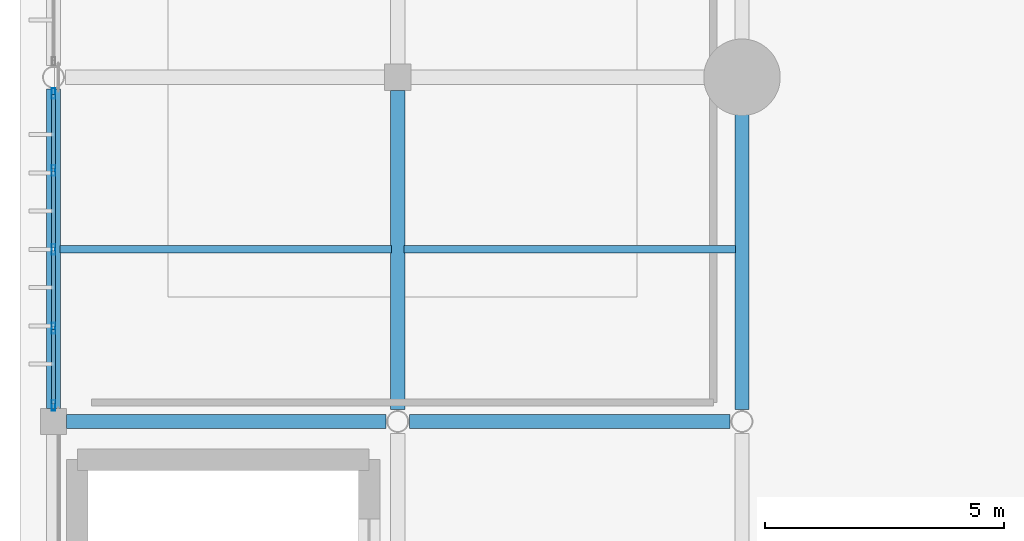
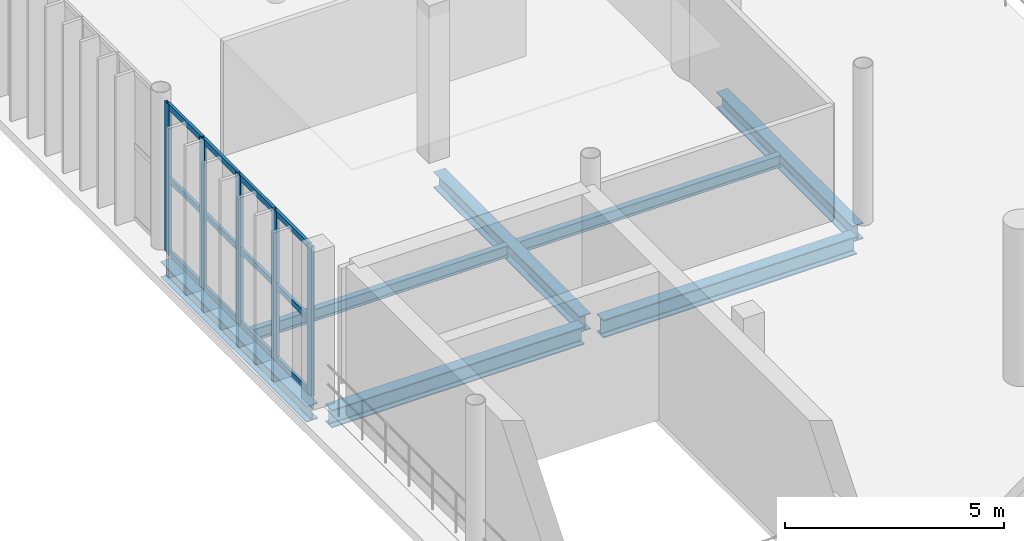
# One storey, part 24 of 81: 17 members, 7 beams, 1 element without a shape of its own.
"""IFC4 building model written with IfcOpenShell, lengths in metres."""

from ifc_helpers import new_model, si_unit, direction, frame, origin, origin_2d, place, context, subcontext, project, spatial, hollow_rectangle, i_section, extrude, material, material_profile, profile_set, type_object, element, aggregate, save


model = new_model("IFC4")

# Units and contexts
model_context = context("Model", 3, precision=1e-05, world=origin(), true_north=direction((0.0, 1.0)))
body_context = subcontext(model_context, "Body", "Model", "MODEL_VIEW")
ifc_project = project(units=[si_unit("LENGTHUNIT", "METRE"), si_unit("AREAUNIT", "SQUARE_METRE"), si_unit("VOLUMEUNIT", "CUBIC_METRE"), si_unit("PLANEANGLEUNIT", "RADIAN"), si_unit("MASSUNIT", "GRAM", prefix="KILO")], contexts=[model_context])

# Site, building, storey
site_placement = place(None, origin())
site = spatial("IfcSite", under=ifc_project, at=site_placement, CompositionType="ELEMENT")
building_placement = place(site_placement, origin())
building = spatial("IfcBuilding", under=site, at=building_placement, Name="Qandorah Velis Arena", CompositionType="ELEMENT")
storey_placement = place(building_placement, frame((0.0, 0.0, 18.60009765625)))
storey = spatial("IfcBuildingStorey", under=building, at=storey_placement, Name="L04", CompositionType="ELEMENT", Elevation=18.60009765625)

# Curtain wall, members
ifc_material_1 = material(Name="Solar-control low-E double glazing", Category="glass")
curtain_wall_type = type_object("IfcCurtainWallType", Name="ARC-CW-SYS09", PredefinedType="USERDEFINED", material=ifc_material_1)
curtain_wall_placement = place(storey_placement, origin())
curtain_wall = element("IfcCurtainWall", 1, at=curtain_wall_placement, inside=storey, type_object=curtain_wall_type, Name="Unitised curtain wall L04-033", ObjectType="UNITISED CURTAIN WALL", PredefinedType="USERDEFINED")
ifc_material_2 = material(Name="Champagne-bronze anodized aluminium 6063-T6", Category="aluminium")
ifc_material_profile_1 = material_profile(ifc_material_2, hollow_rectangle(XDim=0.074951171875, YDim=0.219970703125, WallThickness=0.00390625, at=origin_2d()), Name="ALU MULLION 75x220")
ifc_profile_set_1 = profile_set([ifc_material_profile_1], Name="Champagne-bronze anodized aluminium 6063-T6")
member_type_1 = type_object("IfcMemberType", Name="ARC-CWM-220", PredefinedType="MULLION", material=ifc_profile_set_1)
member_1_placement = place(storey_placement, frame((0.0, 50.737548828125, -0.01513671875), z_axis=(0.0, 0.0, 1.0), x_axis=(-1.0, 0.0, 0.0)))
member_1 = element("IfcMember", 2, at=member_1_placement, type_object=member_type_1, Name="CW09 mullion 1", PredefinedType="MULLION", context=body_context, shape_type="SweptSolid", body=[
    extrude(hollow_rectangle(XDim=0.074951171875, YDim=0.219970703125, WallThickness=0.00390625, at=origin_2d()), origin(), (0.0, 0.0, 1.0), 4.179931640625),
])
member_2_placement = place(storey_placement, frame((0.0, 52.35009765625, -0.01513671875), z_axis=(0.0, 0.0, 1.0), x_axis=(-1.0, 0.0, 0.0)))
member_2 = element("IfcMember", 3, at=member_2_placement, type_object=member_type_1, Name="CW09 mullion 2", PredefinedType="MULLION", context=body_context, shape_type="SweptSolid", body=[
    extrude(hollow_rectangle(XDim=0.074951171875, YDim=0.219970703125, WallThickness=0.00390625, at=origin_2d()), origin(), (0.0, 0.0, 1.0), 4.179931640625),
])
member_3_placement = place(storey_placement, frame((0.0, 54.0, -0.01513671875), z_axis=(0.0, 0.0, 1.0), x_axis=(-1.0, 0.0, 0.0)))
member_3 = element("IfcMember", 4, at=member_3_placement, type_object=member_type_1, Name="CW09 mullion 3", PredefinedType="MULLION", context=body_context, shape_type="SweptSolid", body=[
    extrude(hollow_rectangle(XDim=0.074951171875, YDim=0.219970703125, WallThickness=0.00390625, at=origin_2d()), origin(), (0.0, 0.0, 1.0), 4.179931640625),
])
member_4_placement = place(storey_placement, frame((0.0, 55.64990234375, -0.01513671875), z_axis=(0.0, 0.0, 1.0), x_axis=(-1.0, 0.0, 0.0)))
member_4 = element("IfcMember", 5, at=member_4_placement, type_object=member_type_1, Name="CW09 mullion 4", PredefinedType="MULLION", context=body_context, shape_type="SweptSolid", body=[
    extrude(hollow_rectangle(XDim=0.074951171875, YDim=0.219970703125, WallThickness=0.00390625, at=origin_2d()), origin(), (0.0, 0.0, 1.0), 4.179931640625),
])
member_5_placement = place(storey_placement, frame((0.0, 57.262451171875, -0.01513671875), z_axis=(0.0, 0.0, 1.0), x_axis=(-1.0, 0.0, 0.0)))
member_5 = element("IfcMember", 6, at=member_5_placement, type_object=member_type_1, Name="CW09 mullion 5", PredefinedType="MULLION", context=body_context, shape_type="SweptSolid", body=[
    extrude(hollow_rectangle(XDim=0.074951171875, YDim=0.219970703125, WallThickness=0.00390625, at=origin_2d()), origin(), (0.0, 0.0, 1.0), 4.179931640625),
])
ifc_material_profile_2 = material_profile(ifc_material_2, hollow_rectangle(XDim=0.074951171875, YDim=0.159912109375, WallThickness=0.00341796875, at=origin_2d()), Name="ALU TRANSOM 75x160")
ifc_profile_set_2 = profile_set([ifc_material_profile_2], Name="Champagne-bronze anodized aluminium 6063-T6")
member_type_2 = type_object("IfcMemberType", Name="ARC-CWT-160", PredefinedType="USERDEFINED", material=ifc_profile_set_2)
member_6_placement = place(storey_placement, frame((0.0, 50.762939453125, 0.037353515625), z_axis=(0.0, 1.0, 0.0), x_axis=(-1.0, 0.0, 0.0)))
member_6 = element("IfcMember", 7, at=member_6_placement, type_object=member_type_2, Name="CW09 transom 1.1", ObjectType="TRANSOM", PredefinedType="USERDEFINED", context=body_context, shape_type="SweptSolid", body=[
    extrude(hollow_rectangle(XDim=0.074951171875, YDim=0.159912109375, WallThickness=0.00341796875, at=origin_2d()), origin(), (0.0, 0.0, 1.0), 1.5615234375),
])
member_7_placement = place(storey_placement, frame((0.0, 50.762939453125, 2.074951171875), z_axis=(0.0, 1.0, 0.0), x_axis=(-1.0, 0.0, 0.0)))
member_7 = element("IfcMember", 8, at=member_7_placement, type_object=member_type_2, Name="CW09 transom 1.2", ObjectType="TRANSOM", PredefinedType="USERDEFINED", context=body_context, shape_type="SweptSolid", body=[
    extrude(hollow_rectangle(XDim=0.074951171875, YDim=0.159912109375, WallThickness=0.00341796875, at=origin_2d()), origin(), (0.0, 0.0, 1.0), 1.5615234375),
])
member_8_placement = place(storey_placement, frame((0.0, 50.762939453125, 4.1123046875), z_axis=(0.0, 1.0, 0.0), x_axis=(-1.0, 0.0, 0.0)))
member_8 = element("IfcMember", 9, at=member_8_placement, type_object=member_type_2, Name="CW09 transom 1.3", ObjectType="TRANSOM", PredefinedType="USERDEFINED", context=body_context, shape_type="SweptSolid", body=[
    extrude(hollow_rectangle(XDim=0.074951171875, YDim=0.159912109375, WallThickness=0.00341796875, at=origin_2d()), origin(), (0.0, 0.0, 1.0), 1.5615234375),
])
member_9_placement = place(storey_placement, frame((0.0, 52.37548828125, 0.037353515625), z_axis=(0.0, 1.0, 0.0), x_axis=(-1.0, 0.0, 0.0)))
member_9 = element("IfcMember", 10, at=member_9_placement, type_object=member_type_2, Name="CW09 transom 2.1", ObjectType="TRANSOM", PredefinedType="USERDEFINED", context=body_context, shape_type="SweptSolid", body=[
    extrude(hollow_rectangle(XDim=0.074951171875, YDim=0.159912109375, WallThickness=0.00341796875, at=origin_2d()), origin(), (0.0, 0.0, 1.0), 1.59912109375),
])
member_10_placement = place(storey_placement, frame((0.0, 52.37548828125, 2.074951171875), z_axis=(0.0, 1.0, 0.0), x_axis=(-1.0, 0.0, 0.0)))
member_10 = element("IfcMember", 11, at=member_10_placement, type_object=member_type_2, Name="CW09 transom 2.2", ObjectType="TRANSOM", PredefinedType="USERDEFINED", context=body_context, shape_type="SweptSolid", body=[
    extrude(hollow_rectangle(XDim=0.074951171875, YDim=0.159912109375, WallThickness=0.00341796875, at=origin_2d()), origin(), (0.0, 0.0, 1.0), 1.59912109375),
])
member_11_placement = place(storey_placement, frame((0.0, 52.37548828125, 4.1123046875), z_axis=(0.0, 1.0, 0.0), x_axis=(-1.0, 0.0, 0.0)))
member_11 = element("IfcMember", 12, at=member_11_placement, type_object=member_type_2, Name="CW09 transom 2.3", ObjectType="TRANSOM", PredefinedType="USERDEFINED", context=body_context, shape_type="SweptSolid", body=[
    extrude(hollow_rectangle(XDim=0.074951171875, YDim=0.159912109375, WallThickness=0.00341796875, at=origin_2d()), origin(), (0.0, 0.0, 1.0), 1.59912109375),
])
member_12_placement = place(storey_placement, frame((0.0, 54.025390625, 0.037353515625), z_axis=(0.0, 1.0, 0.0), x_axis=(-1.0, 0.0, 0.0)))
member_12 = element("IfcMember", 13, at=member_12_placement, type_object=member_type_2, Name="CW09 transom 3.1", ObjectType="TRANSOM", PredefinedType="USERDEFINED", context=body_context, shape_type="SweptSolid", body=[
    extrude(hollow_rectangle(XDim=0.074951171875, YDim=0.159912109375, WallThickness=0.00341796875, at=origin_2d()), origin(), (0.0, 0.0, 1.0), 1.59912109375),
])
member_13_placement = place(storey_placement, frame((0.0, 54.025390625, 2.074951171875), z_axis=(0.0, 1.0, 0.0), x_axis=(-1.0, 0.0, 0.0)))
member_13 = element("IfcMember", 14, at=member_13_placement, type_object=member_type_2, Name="CW09 transom 3.2", ObjectType="TRANSOM", PredefinedType="USERDEFINED", context=body_context, shape_type="SweptSolid", body=[
    extrude(hollow_rectangle(XDim=0.074951171875, YDim=0.159912109375, WallThickness=0.00341796875, at=origin_2d()), origin(), (0.0, 0.0, 1.0), 1.59912109375),
])
member_14_placement = place(storey_placement, frame((0.0, 54.025390625, 4.1123046875), z_axis=(0.0, 1.0, 0.0), x_axis=(-1.0, 0.0, 0.0)))
member_14 = element("IfcMember", 15, at=member_14_placement, type_object=member_type_2, Name="CW09 transom 3.3", ObjectType="TRANSOM", PredefinedType="USERDEFINED", context=body_context, shape_type="SweptSolid", body=[
    extrude(hollow_rectangle(XDim=0.074951171875, YDim=0.159912109375, WallThickness=0.00341796875, at=origin_2d()), origin(), (0.0, 0.0, 1.0), 1.59912109375),
])
member_15_placement = place(storey_placement, frame((0.0, 55.675537109375, 0.037353515625), z_axis=(0.0, 1.0, 0.0), x_axis=(-1.0, 0.0, 0.0)))
member_15 = element("IfcMember", 16, at=member_15_placement, type_object=member_type_2, Name="CW09 transom 4.1", ObjectType="TRANSOM", PredefinedType="USERDEFINED", context=body_context, shape_type="SweptSolid", body=[
    extrude(hollow_rectangle(XDim=0.074951171875, YDim=0.159912109375, WallThickness=0.00341796875, at=origin_2d()), origin(), (0.0, 0.0, 1.0), 1.5615234375),
])
member_16_placement = place(storey_placement, frame((0.0, 55.675537109375, 2.074951171875), z_axis=(0.0, 1.0, 0.0), x_axis=(-1.0, 0.0, 0.0)))
member_16 = element("IfcMember", 17, at=member_16_placement, type_object=member_type_2, Name="CW09 transom 4.2", ObjectType="TRANSOM", PredefinedType="USERDEFINED", context=body_context, shape_type="SweptSolid", body=[
    extrude(hollow_rectangle(XDim=0.074951171875, YDim=0.159912109375, WallThickness=0.00341796875, at=origin_2d()), origin(), (0.0, 0.0, 1.0), 1.5615234375),
])
member_17_placement = place(storey_placement, frame((0.0, 55.675537109375, 4.1123046875), z_axis=(0.0, 1.0, 0.0), x_axis=(-1.0, 0.0, 0.0)))
member_17 = element("IfcMember", 18, at=member_17_placement, type_object=member_type_2, Name="CW09 transom 4.3", ObjectType="TRANSOM", PredefinedType="USERDEFINED", context=body_context, shape_type="SweptSolid", body=[
    extrude(hollow_rectangle(XDim=0.074951171875, YDim=0.159912109375, WallThickness=0.00341796875, at=origin_2d()), origin(), (0.0, 0.0, 1.0), 1.5615234375),
])
aggregate(curtain_wall, [member_1, member_2, member_3, member_4, member_5, member_6, member_7, member_8, member_9, member_10, member_11, member_12, member_13, member_14, member_15, member_16, member_17])

# Beams
ifc_material_3 = material(Name="Steel S355", Category="steel")
ifc_material_profile_3 = material_profile(ifc_material_3, i_section(OverallWidth=0.300048828125, OverallDepth=0.449951171875, WebThickness=0.013916015625, FlangeThickness=0.02587890625, FilletRadius=0.027099609375, at=origin_2d()), Name="HEB 450")
ifc_profile_set_3 = profile_set([ifc_material_profile_3], Name="Steel S355")
beam_type_1 = type_object("IfcBeamType", Name="STR-BM-HEB450", PredefinedType="BEAM", material=ifc_profile_set_3)
for number, where, z_axis, x_axis, name in (
    (19, (0.0, 50.675048828125, -0.4951171875), (0.0, 1.0, 0.0), (-1.0, 0.0, 0.0), "Primary floor girder L04 Y-150"),
    (20, (7.199951171875, 50.64990234375, -0.4951171875), (0.0, 1.0, 0.0), (-1.0, 0.0, 0.0), "Primary floor girder L04 Y-162"),
):
    element("IfcBeam", number, at=place(storey_placement, frame(where, z_axis=z_axis, x_axis=x_axis)), inside=storey, type_object=beam_type_1, Name=name, PredefinedType="BEAM", context=body_context, shape_type="SweptSolid", body=[
        extrude(i_section(OverallWidth=0.300048828125, OverallDepth=0.449951171875, WebThickness=0.013916015625, FlangeThickness=0.02587890625, FilletRadius=0.027099609375, at=origin_2d()), origin(), (0.0, 0.0, 1.0), 6.675048828125),
    ])
beam_1_placement = place(storey_placement, frame((14.39990234375, 50.64990234375, -0.4951171875), z_axis=(0.0, 1.0, 0.0), x_axis=(-1.0, 0.0, 0.0)))
element("IfcBeam", 21, at=beam_1_placement, inside=storey, type_object=beam_type_1, Name="Primary floor girder L04 Y-174", PredefinedType="BEAM", context=body_context, shape_type="SweptSolid", body=[
    extrude(i_section(OverallWidth=0.300048828125, OverallDepth=0.449951171875, WebThickness=0.013916015625, FlangeThickness=0.02587890625, FilletRadius=0.027099609375, at=origin_2d()), origin(), (0.0, 0.0, 1.0), 6.2001953125),
])
ifc_material_profile_4 = material_profile(ifc_material_3, i_section(OverallWidth=0.300048828125, OverallDepth=0.5, WebThickness=0.014404296875, FlangeThickness=0.028076171875, FilletRadius=0.027099609375, at=origin_2d()), Name="HEB 500")
ifc_profile_set_4 = profile_set([ifc_material_profile_4], Name="Steel S355")
beam_type_2 = type_object("IfcBeamType", Name="STR-BM-HEB500", PredefinedType="BEAM", material=ifc_profile_set_4)
beam_2_placement = place(storey_placement, frame((0.27490234375, 50.39990234375, -0.52001953125), z_axis=(1.0, 0.0, 0.0), x_axis=(0.0, 1.0, 0.0)))
element("IfcBeam", 22, at=beam_2_placement, inside=storey, type_object=beam_type_2, Name="Primary floor girder L04 X-061", PredefinedType="BEAM", context=body_context, shape_type="SweptSolid", body=[
    extrude(i_section(OverallWidth=0.300048828125, OverallDepth=0.5, WebThickness=0.014404296875, FlangeThickness=0.028076171875, FilletRadius=0.027099609375, at=origin_2d()), origin(), (0.0, 0.0, 1.0), 6.675048828125),
])
beam_3_placement = place(storey_placement, frame((7.449951171875, 50.39990234375, -0.52001953125), z_axis=(1.0, 0.0, 0.0), x_axis=(0.0, 1.0, 0.0)))
element("IfcBeam", 23, at=beam_3_placement, inside=storey, type_object=beam_type_2, Name="Primary floor girder L04 X-062", PredefinedType="BEAM", context=body_context, shape_type="SweptSolid", body=[
    extrude(i_section(OverallWidth=0.300048828125, OverallDepth=0.5, WebThickness=0.014404296875, FlangeThickness=0.028076171875, FilletRadius=0.027099609375, at=origin_2d()), origin(), (0.0, 0.0, 1.0), 6.699951171875),
])
ifc_material_profile_5 = material_profile(ifc_material_3, i_section(OverallWidth=0.159912109375, OverallDepth=0.330078125, WebThickness=0.007568359375, FlangeThickness=0.011474609375, FilletRadius=0.01806640625, at=origin_2d()), Name="IPE 330")
ifc_profile_set_5 = profile_set([ifc_material_profile_5], Name="Steel S355")
beam_type_3 = type_object("IfcBeamType", Name="STR-JST-IPE330", PredefinedType="JOIST", material=ifc_profile_set_5)
for number, where, z_axis, x_axis, name in (
    (24, (0.135009765625, 54.0, -0.43505859375), (1.0, 0.0, 0.0), (0.0, 1.0, 0.0), "Secondary floor joist L04-003"),
    (25, (7.3349609375, 54.0, -0.43505859375), (1.0, 0.0, 0.0), (0.0, 1.0, 0.0), "Secondary floor joist L04-013"),
):
    element("IfcBeam", number, at=place(storey_placement, frame(where, z_axis=z_axis, x_axis=x_axis)), inside=storey, type_object=beam_type_3, Name=name, PredefinedType="JOIST", context=body_context, shape_type="SweptSolid", body=[
        extrude(i_section(OverallWidth=0.159912109375, OverallDepth=0.330078125, WebThickness=0.007568359375, FlangeThickness=0.011474609375, FilletRadius=0.01806640625, at=origin_2d()), origin(), (0.0, 0.0, 1.0), 6.929931640625),
    ])

save(model, "model.ifc")
